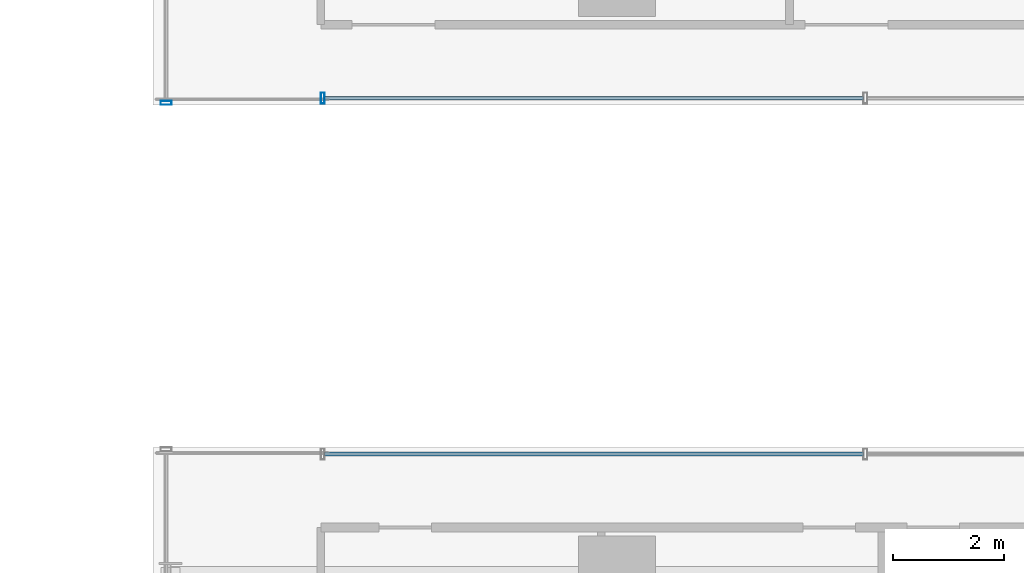
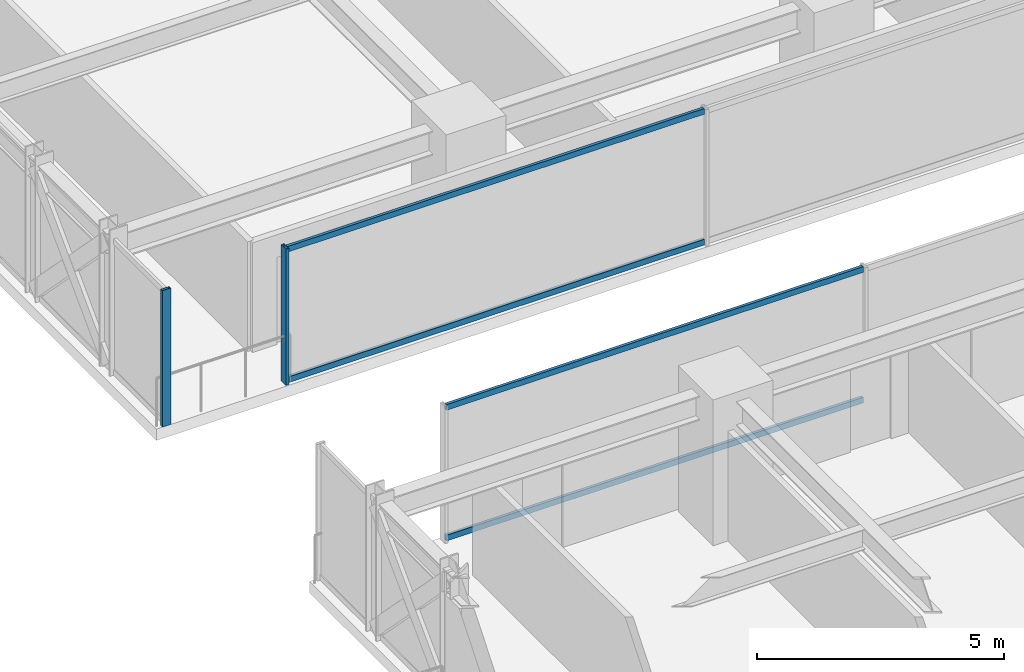
# One storey, part 9 of 38: 6 members, 3 elements without a shape of their own.
"""IFC4 building model written with IfcOpenShell, lengths in metres."""

from ifc_helpers import new_model, si_unit, direction, frame, origin, origin_2d, place, context, subcontext, project, spatial, hollow_rectangle, extrude, source, transform, mapped, material, material_profile, profile_set, type_object, element, aggregate, save


model = new_model("IFC4")

# Units and contexts
model_context = context("Model", 3, precision=1e-05, world=origin(), true_north=direction((0.0, 1.0)))
body_context = subcontext(model_context, "Body", "Model", "MODEL_VIEW")
ifc_project = project(units=[si_unit("LENGTHUNIT", "METRE"), si_unit("AREAUNIT", "SQUARE_METRE"), si_unit("VOLUMEUNIT", "CUBIC_METRE"), si_unit("PLANEANGLEUNIT", "RADIAN"), si_unit("MASSUNIT", "GRAM", prefix="KILO")], contexts=[model_context])

# Site, building, storey
site_placement = place(None, origin())
site = spatial("IfcSite", under=ifc_project, at=site_placement, CompositionType="ELEMENT")
building_placement = place(site_placement, origin())
building = spatial("IfcBuilding", under=site, at=building_placement, Name="Nahalor Promenade Grand Hotel", CompositionType="ELEMENT")
storey_placement = place(building_placement, frame((0.0, 0.0, 50.64990234375)))
storey = spatial("IfcBuildingStorey", under=building, at=storey_placement, Name="L11", CompositionType="ELEMENT", Elevation=50.64990234375)

# Curtain wall, members
ifc_material = material(Name="Anodised Bronze Aluminium EN AW-6063 T6", Category="aluminium")
curtain_wall_type = type_object("IfcCurtainWallType", Name="CW3 Elliptical-Void Collar Unitised Curtain Wall", PredefinedType="USERDEFINED", material=ifc_material)
curtain_wall_1_placement = place(storey_placement, origin())
curtain_wall_1 = element("IfcCurtainWall", 1, at=curtain_wall_1_placement, inside=storey, type_object=curtain_wall_type, Name="L11 Curtain Wall CW-L11-VOID-WS1", ObjectType="UNITISED_CURTAIN_WALL", PredefinedType="USERDEFINED")
ifc_material_profile_1 = material_profile(ifc_material, hollow_rectangle(XDim=0.07, YDim=0.14, WallThickness=0.004, at=origin_2d()), Name="CWT 70x140x4")
ifc_profile_set_1 = profile_set([ifc_material_profile_1], Name="Anodised Bronze Aluminium EN AW-6063 T6")
member_type_1 = type_object("IfcMemberType", Name="CWT3 Void Collar Transom 70x140", PredefinedType="USERDEFINED", material=ifc_profile_set_1)
shared_shape_1 = source(origin(), body_context, "Body", "SweptSolid", [
    extrude(hollow_rectangle(XDim=0.07, YDim=0.14, WallThickness=0.004, at=origin_2d()), origin(), (0.0, 0.0, 1.0), 9.748291015625),
])
member_1_placement = place(storey_placement, frame((-22.2900390625, -3.219970703125, 0.070068359375), z_axis=(1.0, 0.0, 0.0), x_axis=(0.0, 1.0, 0.0)))
member_1 = element("IfcMember", 2, at=member_1_placement, type_object=member_type_1, Name="CW-L11-VOID-WS1 Transom 0-0", ObjectType="TRANSOM", PredefinedType="USERDEFINED", context=body_context, shape_type="MappedRepresentation", body=[
    mapped(shared_shape_1, transform((0.0, 0.0, 0.0), scale=1.0)),
])
member_2_placement = place(storey_placement, frame((-22.2900390625, -3.219970703125, 3.300048828125), z_axis=(1.0, 0.0, 0.0), x_axis=(0.0, 1.0, 0.0)))
member_2 = element("IfcMember", 3, at=member_2_placement, type_object=member_type_1, Name="CW-L11-VOID-WS1 Transom 0-1", ObjectType="TRANSOM", PredefinedType="USERDEFINED", context=body_context, shape_type="MappedRepresentation", body=[
    mapped(shared_shape_1, transform((0.0, 0.0, 0.0), scale=1.0)),
])
aggregate(curtain_wall_1, [member_1, member_2])

curtain_wall_2_placement = place(storey_placement, origin())
curtain_wall_2 = element("IfcCurtainWall", 4, at=curtain_wall_2_placement, inside=storey, type_object=curtain_wall_type, Name="L11 Curtain Wall CW-L11-VOID-WN1", ObjectType="UNITISED_CURTAIN_WALL", PredefinedType="USERDEFINED")
member_3_placement = place(storey_placement, frame((-22.2900390625, 3.219970703125, 0.070068359375), z_axis=(1.0, 0.0, 0.0), x_axis=(0.0, 1.0, 0.0)))
member_3 = element("IfcMember", 5, at=member_3_placement, type_object=member_type_1, Name="CW-L11-VOID-WN1 Transom 0-0", ObjectType="TRANSOM", PredefinedType="USERDEFINED", context=body_context, shape_type="MappedRepresentation", body=[
    mapped(shared_shape_1, transform((0.0, 0.0, 0.0), scale=1.0)),
])
member_4_placement = place(storey_placement, frame((-22.2900390625, 3.219970703125, 3.300048828125), z_axis=(1.0, 0.0, 0.0), x_axis=(0.0, 1.0, 0.0)))
member_4 = element("IfcMember", 6, at=member_4_placement, type_object=member_type_1, Name="CW-L11-VOID-WN1 Transom 0-1", ObjectType="TRANSOM", PredefinedType="USERDEFINED", context=body_context, shape_type="MappedRepresentation", body=[
    mapped(shared_shape_1, transform((0.0, 0.0, 0.0), scale=1.0)),
])

# Curtain wall, member
curtain_wall_3_placement = place(storey_placement, origin())
curtain_wall_3 = element("IfcCurtainWall", 7, at=curtain_wall_3_placement, inside=storey, type_object=curtain_wall_type, Name="L11 Curtain Wall CW-L11-W-4", ObjectType="UNITISED_CURTAIN_WALL", PredefinedType="USERDEFINED")
ifc_material_profile_2 = material_profile(ifc_material, hollow_rectangle(XDim=0.07, YDim=0.2, WallThickness=0.005, at=origin_2d()), Name="CWM 70x200x5")
ifc_profile_set_2 = profile_set([ifc_material_profile_2], Name="Anodised Bronze Aluminium EN AW-6063 T6")
member_type_2 = type_object("IfcMemberType", Name="CWM3 Void Collar Mullion 70x200", PredefinedType="MULLION", material=ifc_profile_set_2)
shared_shape_2 = source(origin(), body_context, "Body", "SweptSolid", [
    extrude(hollow_rectangle(XDim=0.07, YDim=0.2, WallThickness=0.005, at=origin_2d()), origin(), (0.0, 0.0, 1.0), 3.3701171875),
])
member_5_placement = place(storey_placement, frame((-25.159912109375, 3.135009765625, 0.0), z_axis=(0.0, 0.0, 1.0), x_axis=(0.0, 1.0, 0.0)))
member_5 = element("IfcMember", 8, at=member_5_placement, type_object=member_type_2, Name="CW-L11-W-4 Mullion 0", PredefinedType="MULLION", context=body_context, shape_type="MappedRepresentation", body=[
    mapped(shared_shape_2, transform((0.0, 0.0, 0.0), scale=1.0)),
])
aggregate(curtain_wall_3, [member_5])

# Member
member_6_placement = place(storey_placement, frame((-22.324951171875, 3.219970703125, 0.0), z_axis=(0.0, 0.0, 1.0), x_axis=(1.0, 0.0, 0.0)))
member_6 = element("IfcMember", 9, at=member_6_placement, type_object=member_type_2, Name="CW-L11-VOID-WN1 Mullion 0", PredefinedType="MULLION", context=body_context, shape_type="MappedRepresentation", body=[
    mapped(shared_shape_2, transform((0.0, 0.0, 0.0), scale=1.0)),
])

aggregate(curtain_wall_2, [member_6, member_3, member_4])

save(model, "model.ifc")
